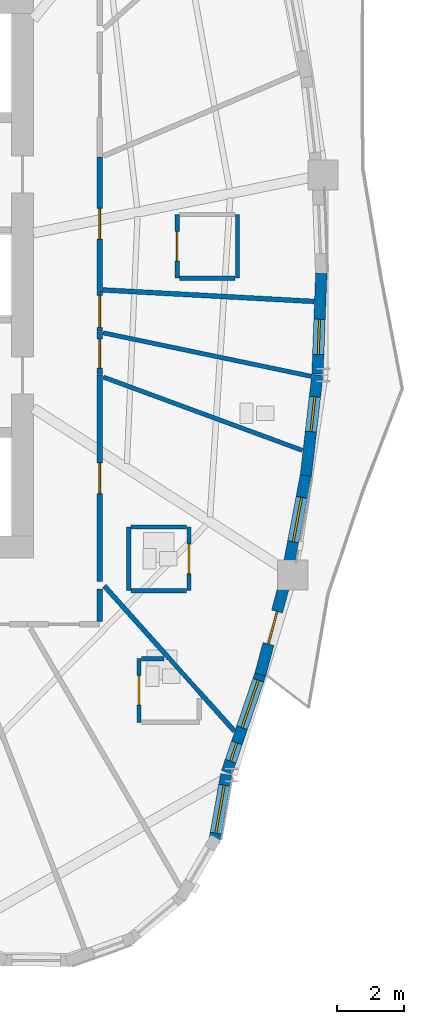
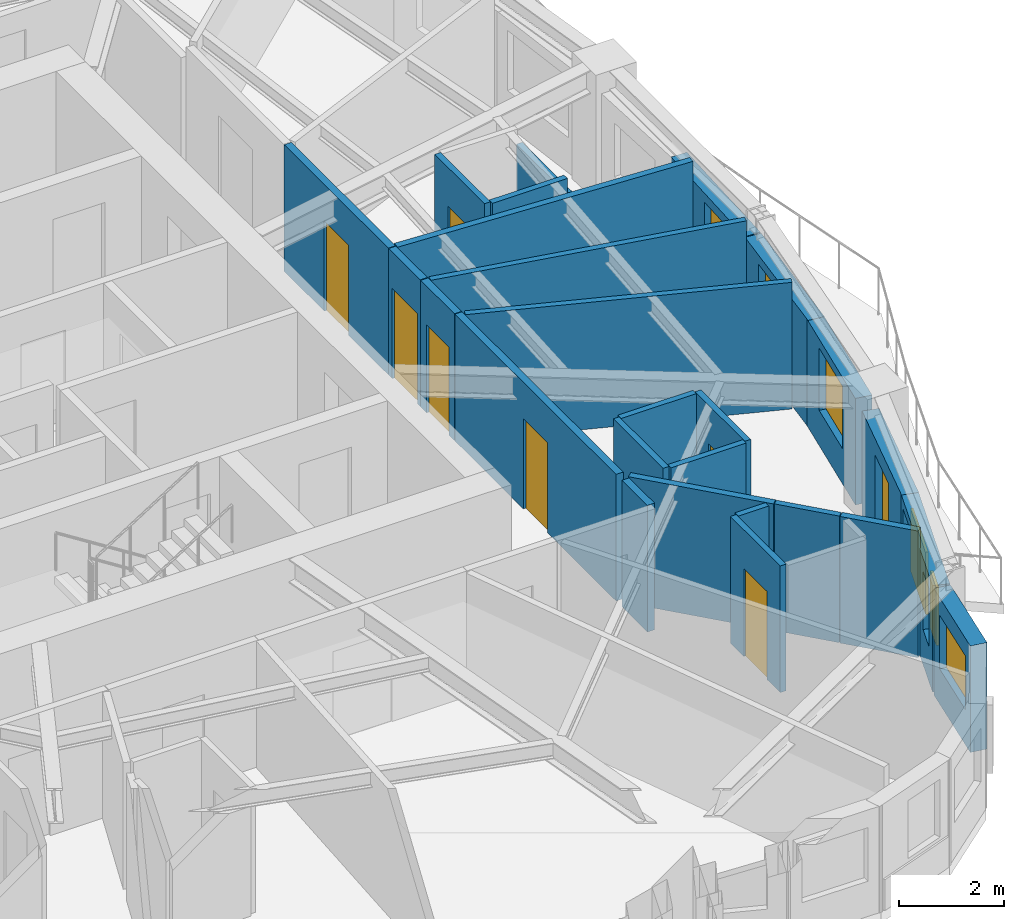
# One storey, part 7 of 13: 26 walls, 8 doors, 6 windows, 14 openings.
"""IFC4 building model written with IfcOpenShell, lengths in metres."""

import ifcopenshell
import ifcopenshell.guid

model = None  # the IFC model being written
_history = None  # IfcOwnerHistory: only IFC2X3 demands one
_inside = {}  # id of a spatial element -> (the spatial element, [elements in it])
_under = {}  # id of a project, library or spatial element -> (it, [spatial elements below it])
_declared = {}  # id of a project -> (the project, [libraries it declares])
_typed = {}  # id of a type object -> (the type object, [elements of that type])
_made_of = {}  # id of a material, layer set ... -> (it, [elements and type objects made of it])


def new_model(schema):
    """Start an empty IFC model of exactly this schema.

    Asked for "IFC4X3", IfcOpenShell would pick the latest addendum, in which some entities
    have other attributes; the version numbers below select the first issue.
    IFC2X3 requires an IfcOwnerHistory on every rooted entity: one is made here for all.
    """
    global model, _history
    if schema == "IFC4X3":
        model = ifcopenshell.file(schema_version=(4, 3, 0, 0))
    else:
        model = ifcopenshell.file(schema=schema)
    _inside.clear()
    _under.clear()
    _declared.clear()
    _typed.clear()
    _made_of.clear()
    _history = None
    if model.schema == "IFC2X3":
        org = make("IfcOrganization", Name="unknown")
        user = make(
            "IfcPersonAndOrganization",
            ThePerson=make("IfcPerson", FamilyName="unknown"),
            TheOrganization=org,
        )
        app = make(
            "IfcApplication",
            ApplicationDeveloper=org,
            Version="unknown",
            ApplicationFullName="unknown",
            ApplicationIdentifier="unknown",
        )
        _history = make(
            "IfcOwnerHistory",
            OwningUser=user,
            OwningApplication=app,
            ChangeAction="ADDED",
            CreationDate=0,
        )
    return model


def make(cls, **values):
    """One entity of the class cls with the attributes given. An attribute that is None is left unset."""
    return model.create_entity(
        cls, **{name: value for name, value in values.items() if value is not None}
    )


def rooted(cls, **values):
    """An entity with a GlobalId (a new one), such as an element, a storey or a relation."""
    return make(cls, GlobalId=ifcopenshell.guid.new(), OwnerHistory=_history, **values)


def si_unit(unit_type, name, prefix=None):
    """IfcSIUnit, for example si_unit("LENGTHUNIT", "METRE", prefix="MILLI")."""
    return make("IfcSIUnit", UnitType=unit_type, Prefix=prefix, Name=name)


def assignment(units):
    """IfcUnitAssignment: the units of a project."""
    return None if units is None else make("IfcUnitAssignment", Units=units)


def point(xyz):
    """IfcCartesianPoint."""
    return None if xyz is None else make("IfcCartesianPoint", Coordinates=xyz)


def direction(xyz):
    """IfcDirection."""
    return None if xyz is None else make("IfcDirection", DirectionRatios=xyz)


def frame(location, z_axis=None, x_axis=None):
    """IfcAxis2Placement3D, a coordinate frame: its origin and axes. An axis left out is left unset."""
    return make(
        "IfcAxis2Placement3D",
        Location=point(location),
        Axis=direction(z_axis),
        RefDirection=direction(x_axis),
    )


def frame_2d(location, x_axis=None):
    """IfcAxis2Placement2D, a coordinate frame in the plane: its origin and x axis."""
    return make(
        "IfcAxis2Placement2D", Location=point(location), RefDirection=direction(x_axis)
    )


def origin():
    """The frame at (0, 0, 0) with its axes left unset."""
    return frame((0.0, 0.0, 0.0))


def place(relative_to, where):
    """IfcLocalPlacement: puts the frame where relative to a parent placement (None: the world)."""
    return make(
        "IfcLocalPlacement", PlacementRelTo=relative_to, RelativePlacement=where
    )


def context(
    kind, dimensions, precision=None, world=None, true_north=None, identifier=None
):
    """IfcGeometricRepresentationContext, for example the 3D "Model" context."""
    return make(
        "IfcGeometricRepresentationContext",
        ContextIdentifier=identifier,
        ContextType=kind,
        CoordinateSpaceDimension=dimensions,
        Precision=precision,
        WorldCoordinateSystem=world,
        TrueNorth=true_north,
    )


def subcontext(parent, identifier, kind, view, scale=None):
    """IfcGeometricRepresentationSubContext, for example "Body" below "Model"."""
    return make(
        "IfcGeometricRepresentationSubContext",
        ContextIdentifier=identifier,
        ContextType=kind,
        ParentContext=parent,
        TargetScale=scale,
        TargetView=view,
    )


def project(units=None, contexts=None):
    """IfcProject with its units and contexts."""
    return rooted(
        "IfcProject",
        Name="project",
        RepresentationContexts=contexts,
        UnitsInContext=assignment(units),
    )


def spatial(cls, under=None, at=None, **own):
    """A site, building, storey or space (cls), placed at a placement, below another one or the project."""
    s = rooted(cls, ObjectPlacement=at, **own)
    if under is not None:
        _under.setdefault(under.id(), (under, []))[1].append(s)
    return s


def profile(cls, at=None, kind="AREA", **sizes):
    """A parametric profile (cls). Its sizes go by their IFC names, for example OverallWidth=200.0."""
    return make(cls, ProfileType=kind, Position=at, **sizes)


def rectangle(**sizes):
    """IfcRectangleProfileDef."""
    return profile("IfcRectangleProfileDef", **sizes)


def extrude(swept, where, along, depth):
    """IfcExtrudedAreaSolid: the profile swept, set in the frame where, extruded along a direction by depth."""
    return make(
        "IfcExtrudedAreaSolid",
        SweptArea=swept,
        Position=where,
        ExtrudedDirection=direction(along),
        Depth=depth,
    )


def shape(context_of_items, identifier, shape_type, items):
    """IfcShapeRepresentation: the items that make up one representation, for example the "Body"."""
    return make(
        "IfcShapeRepresentation",
        ContextOfItems=context_of_items,
        RepresentationIdentifier=identifier,
        RepresentationType=shape_type,
        Items=items,
    )


def source(mapping_origin, context_of_items, identifier, shape_type, items):
    """IfcRepresentationMap: a shape defined once, which mapped items show again and again."""
    return make(
        "IfcRepresentationMap",
        MappingOrigin=mapping_origin,
        MappedRepresentation=shape(context_of_items, identifier, shape_type, items),
    )


def transform(
    local_origin,
    x_axis=None,
    y_axis=None,
    z_axis=None,
    scale=None,
    scale2=None,
    scale3=None,
    uniform=True,
):
    """IfcCartesianTransformationOperator3D, or its non-uniform kind. x_axis, y_axis, z_axis: its Axis1, 2, 3."""
    if uniform:
        return make(
            "IfcCartesianTransformationOperator3D",
            Axis1=direction(x_axis),
            Axis2=direction(y_axis),
            LocalOrigin=point(local_origin),
            Scale=scale,
            Axis3=direction(z_axis),
        )
    return make(
        "IfcCartesianTransformationOperator3DnonUniform",
        Axis1=direction(x_axis),
        Axis2=direction(y_axis),
        LocalOrigin=point(local_origin),
        Scale=scale,
        Axis3=direction(z_axis),
        Scale2=scale2,
        Scale3=scale3,
    )


def mapped(mapping_source, mapping_target):
    """IfcMappedItem: shows the shape of a source again, moved by a transform."""
    return make(
        "IfcMappedItem", MappingSource=mapping_source, MappingTarget=mapping_target
    )


def material(Name=None, Category=None):
    """IfcMaterial."""
    return make("IfcMaterial", Name=Name, Category=Category)


def layer(
    of_material, thickness, ventilated=None, Name=None, Category=None, Priority=None
):
    """IfcMaterialLayer: one layer of a wall or slab, of a material (None: an air gap)."""
    return make(
        "IfcMaterialLayer",
        Material=of_material,
        LayerThickness=thickness,
        IsVentilated=ventilated,
        Name=Name,
        Category=Category,
        Priority=Priority,
    )


def layer_set(layers, Name=None):
    """IfcMaterialLayerSet."""
    return make("IfcMaterialLayerSet", MaterialLayers=layers, LayerSetName=Name)


def made_of(thing, what):
    """Note that an element or type object is made of a material, layer set ...; save() writes the relation."""
    if what is not None:
        _made_of.setdefault(what.id(), (what, []))[1].append(thing)
    return thing


def type_object(cls, material=None, **own):
    """A type object (cls), such as IfcWallType, which elements share."""
    return made_of(rooted(cls, **own), material)


def element(
    cls,
    number,
    at=None,
    inside=None,
    cuts=None,
    type_object=None,
    material=None,
    context=None,
    identifier="Body",
    shape_type=None,
    held_by="IfcProductDefinitionShape",
    body=None,
    shapes=None,
    **own,
):
    """One element of the class cls, such as IfcWall. Its Tag is "e" and its number.

    at: its placement. inside: the storey or other place that contains it. cuts: it is an
    opening in that element (IfcRelVoidsElement). A single representation is given by context,
    identifier, shape_type and body (its items); several are given by shapes. held_by: the class
    of the entity that holds the representations. save() writes the other relations.
    """
    e = rooted(cls, Tag="e%d" % number, ObjectPlacement=at, **own)
    if body is not None:
        shapes = [shape(context, identifier, shape_type, body)]
    if shapes is not None:
        e.Representation = make(held_by, Representations=shapes)
    if inside is not None:
        _inside.setdefault(inside.id(), (inside, []))[1].append(e)
    if cuts is not None:
        rooted(
            "IfcRelVoidsElement", RelatingBuildingElement=cuts, RelatedOpeningElement=e
        )
    if type_object is not None:
        _typed.setdefault(type_object.id(), (type_object, []))[1].append(e)
    return made_of(e, material)


def fill(opening, filler):
    """IfcRelFillsElement: the door or window that sits in an opening."""
    return rooted(
        "IfcRelFillsElement",
        RelatingOpeningElement=opening,
        RelatedBuildingElement=filler,
    )


def aggregate(whole, parts):
    """IfcRelAggregates: a whole, such as a stair, and the parts it consists of."""
    return rooted("IfcRelAggregates", RelatingObject=whole, RelatedObjects=parts)


def save(model, path):
    """Write the relations noted so far, then the file.

    IfcRelAggregates (storeys below a building ...), IfcRelContainedInSpatialStructure (elements
    in a storey), IfcRelDefinesByType, IfcRelAssociatesMaterial and IfcRelDeclares: one each for
    every whole, place, type object, material and project.
    """
    for whole, parts in _under.values():
        aggregate(whole, parts)
    for where, things in _inside.values():
        rooted(
            "IfcRelContainedInSpatialStructure",
            RelatedElements=things,
            RelatingStructure=where,
        )
    for kind, things in _typed.values():
        rooted("IfcRelDefinesByType", RelatedObjects=things, RelatingType=kind)
    for what, things in _made_of.values():
        rooted("IfcRelAssociatesMaterial", RelatedObjects=things, RelatingMaterial=what)
    for by, libraries in _declared.values():
        rooted("IfcRelDeclares", RelatingContext=by, RelatedDefinitions=libraries)
    model.write(path)


model = new_model("IFC4")

# Units and contexts
model_context = context("Model", 3, precision=1e-05, world=origin(), true_north=direction((0.0, 1.0)))
body_context = subcontext(model_context, "Body", "Model", "MODEL_VIEW")
ifc_project = project(units=[si_unit("LENGTHUNIT", "METRE"), si_unit("AREAUNIT", "SQUARE_METRE"), si_unit("VOLUMEUNIT", "CUBIC_METRE"), si_unit("PLANEANGLEUNIT", "RADIAN"), si_unit("MASSUNIT", "GRAM", prefix="KILO")], contexts=[model_context])

# Site, building, storey
site_placement = place(None, origin())
site = spatial("IfcSite", under=ifc_project, at=site_placement, CompositionType="ELEMENT")
building_placement = place(site_placement, origin())
building = spatial("IfcBuilding", under=site, at=building_placement, Name="Qafzar Sky-Pleat Residences", CompositionType="ELEMENT")
storey_placement = place(building_placement, frame((0.0, 0.0, 99.199951171875)))
storey = spatial("IfcBuildingStorey", under=building, at=storey_placement, Name="L29", CompositionType="ELEMENT", Elevation=99.199951171875)

# Wall, opening, door
ifc_material_1 = material(Name="Acoustic gypsum plasterboard partition", Category="gypsum")
ifc_layer_1 = layer(ifc_material_1, 0.159912109375)
ifc_layer_set_1 = layer_set([ifc_layer_1], Name="Acoustic gypsum plasterboard partition")
wall_type_1 = type_object("IfcWallType", Name="PART-COR-160", PredefinedType="PARTITIONING", material=ifc_layer_set_1)
wall_1_placement = place(storey_placement, frame((38.530029296875, 23.0048828125, 0.0), z_axis=(0.0, 0.0, 1.0), x_axis=(0.0, -1.0, 0.0)))
wall_1 = element("IfcWall", 1, at=wall_1_placement, inside=storey, type_object=wall_type_1, Name="L29 Partition Wall PART-L29-PW-001", PredefinedType="PARTITIONING", context=body_context, shape_type="SweptSolid", body=[
    extrude(rectangle(XDim=6.156982421875, YDim=0.159912109375, at=frame_2d((3.07861328125, 0.0))), origin(), (0.0, 0.0, 1.0), 2.949951171875),
])
opening_1_placement = place(wall_1_placement, frame((2.615478515625, 0.0, 0.0)))
opening_1 = element("IfcOpeningElement", 2, at=opening_1_placement, cuts=wall_1, Name="Opening ID-04", PredefinedType="OPENING", context=body_context, shape_type="SweptSolid", body=[
    extrude(rectangle(XDim=0.919921875, YDim=2.10009765625, at=frame_2d((0.4599609375, 1.050048828125))), frame((0.0, 0.08984375, 0.0), z_axis=(0.0, -1.0, 0.0), x_axis=(1.0, 0.0, 0.0)), (0.0, 0.0, 1.0), 0.179931640625),
])
ifc_material_2 = material(Name="Timber-faced fire door", Category="wood")
door_type_1 = type_object("IfcDoorType", Name="DR-BED-920", OperationType="NOTDEFINED", PredefinedType="DOOR", material=ifc_material_2)
shared_shape_1 = source(origin(), body_context, "Body", "SweptSolid", [
    extrude(rectangle(XDim=0.919921875, YDim=2.10009765625, at=frame_2d((0.4599609375, 1.050048828125))), frame((0.0, 0.02490234375, 0.0), z_axis=(0.0, -1.0, 0.0), x_axis=(1.0, 0.0, 0.0)), (0.0, 0.0, 1.0), 0.050048828125),
])
door_1_placement = place(opening_1_placement, origin())
door_1 = element("IfcDoor", 3, at=door_1_placement, inside=storey, type_object=door_type_1, Name="L29 Co-Living Bedroom 4 Door", OperationType="SINGLE_SWING_RIGHT", OverallHeight=2.10009765625, OverallWidth=0.919921875, PredefinedType="DOOR", context=body_context, shape_type="MappedRepresentation", body=[
    mapped(shared_shape_1, transform((0.0, 0.0, 0.0), x_axis=(1.0, 0.0, 0.0), y_axis=(0.0, 1.0, 0.0), z_axis=(0.0, 0.0, 1.0), scale=1.0)),
])
fill(opening_1, door_1)

wall_2_placement = place(storey_placement, frame((38.530029296875, 29.513916015625, 0.0), z_axis=(0.0, 0.0, 1.0), x_axis=(0.0, -1.0, 0.0)))
wall_2 = element("IfcWall", 4, at=wall_2_placement, inside=storey, type_object=wall_type_1, Name="L29 Partition Wall PART-L29-PW-005", PredefinedType="PARTITIONING", context=body_context, shape_type="SweptSolid", body=[
    extrude(rectangle(XDim=3.973876953125, YDim=0.159912109375, at=frame_2d((1.98681640625, 0.0))), origin(), (0.0, 0.0, 1.0), 2.949951171875),
])
opening_2_placement = place(wall_2_placement, frame((1.528076171875, 0.0, 0.0)))
opening_2 = element("IfcOpeningElement", 5, at=opening_2_placement, cuts=wall_2, Name="Opening ID-04", PredefinedType="OPENING", context=body_context, shape_type="SweptSolid", body=[
    extrude(rectangle(XDim=0.919921875, YDim=2.10009765625, at=frame_2d((0.4599609375, 1.050048828125))), frame((0.0, 0.08984375, 0.0), z_axis=(0.0, -1.0, 0.0), x_axis=(1.0, 0.0, 0.0)), (0.0, 0.0, 1.0), 0.179931640625),
])
door_2_placement = place(opening_2_placement, origin())
door_2 = element("IfcDoor", 6, at=door_2_placement, inside=storey, type_object=door_type_1, Name="L29 Co-Living Bedroom 5 Door", OperationType="SINGLE_SWING_LEFT", OverallHeight=2.10009765625, OverallWidth=0.919921875, PredefinedType="DOOR", context=body_context, shape_type="MappedRepresentation", body=[
    mapped(shared_shape_1, transform((0.0, 0.0, 0.0), x_axis=(1.0, 0.0, 0.0), y_axis=(0.0, 1.0, 0.0), z_axis=(0.0, 0.0, 1.0), scale=1.0)),
])
fill(opening_2, door_2)

wall_3_placement = place(storey_placement, frame((38.530029296875, 24.305908203125, 0.0), z_axis=(0.0, 0.0, 1.0), x_axis=(0.0, -1.0, 0.0)))
wall_3 = element("IfcWall", 7, at=wall_3_placement, inside=storey, type_object=wall_type_1, Name="L29 Partition Wall PART-L29-PW-029", PredefinedType="PARTITIONING", context=body_context, shape_type="SweptSolid", body=[
    extrude(rectangle(XDim=1.285888671875, YDim=0.159912109375, at=frame_2d((0.64306640625, 0.0))), origin(), (0.0, 0.0, 1.0), 2.949951171875),
])
opening_3_placement = place(wall_3_placement, frame((0.22607421875, 0.0, 0.0)))
opening_3 = element("IfcOpeningElement", 8, at=opening_3_placement, cuts=wall_3, Name="Opening ID-09", PredefinedType="OPENING", context=body_context, shape_type="SweptSolid", body=[
    extrude(rectangle(XDim=0.860107421875, YDim=2.050048828125, at=frame_2d((0.43017578125, 1.02490234375))), frame((0.0, 0.08984375, 0.0), z_axis=(0.0, -1.0, 0.0), x_axis=(1.0, 0.0, 0.0)), (0.0, 0.0, 1.0), 0.179931640625),
])
door_type_2 = type_object("IfcDoorType", Name="DR-SVC-860", OperationType="NOTDEFINED", PredefinedType="DOOR", material=ifc_material_2)
shared_shape_2 = source(origin(), body_context, "Body", "SweptSolid", [
    extrude(rectangle(XDim=0.860107421875, YDim=2.050048828125, at=frame_2d((0.43017578125, 1.02490234375))), frame((0.0, 0.02490234375, 0.0), z_axis=(0.0, -1.0, 0.0), x_axis=(1.0, 0.0, 0.0)), (0.0, 0.0, 1.0), 0.050048828125),
])
door_3_placement = place(opening_3_placement, origin())
door_3 = element("IfcDoor", 9, at=door_3_placement, inside=storey, type_object=door_type_2, Name="L29 Accessible Shared Washroom Door", OperationType="SINGLE_SWING_RIGHT", OverallHeight=2.050048828125, OverallWidth=0.860107421875, PredefinedType="DOOR", context=body_context, shape_type="MappedRepresentation", body=[
    mapped(shared_shape_2, transform((0.0, 0.0, 0.0), x_axis=(1.0, 0.0, 0.0), y_axis=(0.0, 1.0, 0.0), z_axis=(0.0, 0.0, 1.0), scale=1.0)),
])
fill(opening_3, door_3)

wall_4_placement = place(storey_placement, frame((38.530029296875, 25.52490234375, 0.0), z_axis=(0.0, 0.0, 1.0), x_axis=(0.0, -1.0, 0.0)))
wall_4 = element("IfcWall", 10, at=wall_4_placement, inside=storey, type_object=wall_type_1, Name="L29 Partition Wall PART-L29-PW-030", PredefinedType="PARTITIONING", context=body_context, shape_type="SweptSolid", body=[
    extrude(rectangle(XDim=1.203857421875, YDim=0.159912109375, at=frame_2d((0.60205078125, 0.0))), origin(), (0.0, 0.0, 1.0), 2.949951171875),
])
opening_4_placement = place(wall_4_placement, frame((0.13427734375, 0.0, 0.0)))
opening_4 = element("IfcOpeningElement", 11, at=opening_4_placement, cuts=wall_4, Name="Opening ID-06", PredefinedType="OPENING", context=body_context, shape_type="SweptSolid", body=[
    extrude(rectangle(XDim=0.9599609375, YDim=2.10009765625, at=frame_2d((0.47998046875, 1.050048828125))), frame((0.0, 0.08984375, 0.0), z_axis=(0.0, -1.0, 0.0), x_axis=(1.0, 0.0, 0.0)), (0.0, 0.0, 1.0), 0.179931640625),
])
door_type_3 = type_object("IfcDoorType", Name="DR-STD-960", OperationType="NOTDEFINED", PredefinedType="DOOR", material=ifc_material_2)
shared_shape_3 = source(origin(), body_context, "Body", "SweptSolid", [
    extrude(rectangle(XDim=0.9599609375, YDim=2.10009765625, at=frame_2d((0.47998046875, 1.050048828125))), frame((0.0, 0.02490234375, 0.0), z_axis=(0.0, -1.0, 0.0), x_axis=(1.0, 0.0, 0.0)), (0.0, 0.0, 1.0), 0.050048828125),
])
door_4_placement = place(opening_4_placement, origin())
door_4 = element("IfcDoor", 12, at=door_4_placement, inside=storey, type_object=door_type_3, Name="L29 Scholar Study Room Door", OperationType="SINGLE_SWING_LEFT", OverallHeight=2.10009765625, OverallWidth=0.9599609375, PredefinedType="DOOR", context=body_context, shape_type="MappedRepresentation", body=[
    mapped(shared_shape_3, transform((0.0, 0.0, 0.0), x_axis=(1.0, 0.0, 0.0), y_axis=(0.0, 1.0, 0.0), z_axis=(0.0, 0.0, 1.0), scale=1.0)),
])
fill(opening_4, door_4)

# Walls
wall_5_placement = place(storey_placement, frame((38.530029296875, 15.657958984375, 0.0), z_axis=(0.0, 0.0, 1.0), x_axis=(0.0, 1.0, 0.0)))
element("IfcWall", 13, at=wall_5_placement, inside=storey, type_object=wall_type_1, Name="L29 Partition Wall PART-L29-PW-077", PredefinedType="PARTITIONING", context=body_context, shape_type="SweptSolid", body=[
    extrude(rectangle(XDim=0.968994140625, YDim=0.159912109375, at=frame_2d((0.484375, 0.0))), origin(), (0.0, 0.0, 1.0), 2.949951171875),
])
ifc_layer_2 = layer(ifc_material_1, 0.14501953125)
ifc_layer_set_2 = layer_set([ifc_layer_2], Name="Acoustic gypsum plasterboard partition")
wall_type_2 = type_object("IfcWallType", Name="PART-UNIT-145", PredefinedType="PARTITIONING", material=ifc_layer_set_2)
wall_6_placement = place(storey_placement, frame((38.621826171875, 25.550048828125, 0.0), z_axis=(0.0, 0.0, 1.0), x_axis=(0.998518036703, -0.054421782211, 0.0)))
element("IfcWall", 14, at=wall_6_placement, inside=storey, type_object=wall_type_2, Name="L29 Partition Wall PART-L29-PW-045", PredefinedType="PARTITIONING", context=body_context, shape_type="SweptSolid", body=[
    extrude(rectangle(XDim=6.32080078125, YDim=0.14501953125, at=frame_2d((3.160400390625, 0.0))), origin(), (0.0, 0.0, 1.0), 2.949951171875),
])
wall_7_placement = place(storey_placement, frame((38.669189453125, 16.714599609375, 0.0), z_axis=(0.0, 0.0, 1.0), x_axis=(0.667262858083, -0.744822313188, 0.0)))
element("IfcWall", 15, at=wall_7_placement, inside=storey, type_object=wall_type_2, Name="L29 Partition Wall PART-L29-PW-052", PredefinedType="PARTITIONING", context=body_context, shape_type="SweptSolid", body=[
    extrude(rectangle(XDim=2.91162109375, YDim=0.14501953125, at=frame_2d((1.455810546875, 0.0))), origin(), (0.0, 0.0, 1.0), 2.949951171875),
])
wall_8_placement = place(storey_placement, frame((41.50390625, 13.551025390625, 0.0), z_axis=(0.0, 0.0, 1.0), x_axis=(0.667530166935, -0.744582753112, 0.0)))
element("IfcWall", 16, at=wall_8_placement, inside=storey, type_object=wall_type_2, Name="L29 Partition Wall PART-L29-PW-072", PredefinedType="PARTITIONING", context=body_context, shape_type="SweptSolid", body=[
    extrude(rectangle(XDim=1.571533203125, YDim=0.14501953125, at=frame_2d((0.78564453125, 0.0))), origin(), (0.0, 0.0, 1.0), 2.949951171875),
])

# Wall, opening, door
ifc_material_3 = material(Name="Moisture-resistant gypsum partition", Category="gypsum")
ifc_layer_3 = layer(ifc_material_3, 0.1298828125)
ifc_layer_set_3 = layer_set([ifc_layer_3], Name="Moisture-resistant gypsum partition")
wall_type_3 = type_object("IfcWallType", Name="PART-WET-130", PredefinedType="PARTITIONING", material=ifc_layer_set_3)
wall_9_placement = place(storey_placement, frame((39.7041015625, 14.5458984375, 0.0), z_axis=(0.0, 0.0, 1.0), x_axis=(0.0, -1.0, 0.0)))
wall_9 = element("IfcWall", 17, at=wall_9_placement, inside=storey, type_object=wall_type_3, Name="L29 Partition Wall PART-L29-PW-019", PredefinedType="PARTITIONING", context=body_context, shape_type="SweptSolid", body=[
    extrude(rectangle(XDim=1.89990234375, YDim=0.1298828125, at=frame_2d((0.949951171875, 0.0))), origin(), (0.0, 0.0, 1.0), 2.949951171875),
])
opening_5_placement = place(wall_9_placement, frame((0.510009765625, 0.0, 0.0)))
opening_5 = element("IfcOpeningElement", 18, at=opening_5_placement, cuts=wall_9, Name="Opening ID-07", PredefinedType="OPENING", context=body_context, shape_type="SweptSolid", body=[
    extrude(rectangle(XDim=0.8798828125, YDim=2.050048828125, at=frame_2d((0.43994140625, 1.02490234375))), frame((0.0, 0.074951171875, 0.0), z_axis=(0.0, -1.0, 0.0), x_axis=(1.0, 0.0, 0.0)), (0.0, 0.0, 1.0), 0.14990234375),
])
door_type_4 = type_object("IfcDoorType", Name="DR-WET-880", OperationType="NOTDEFINED", PredefinedType="DOOR", material=ifc_material_2)
shared_shape_4 = source(origin(), body_context, "Body", "SweptSolid", [
    extrude(rectangle(XDim=0.8798828125, YDim=2.050048828125, at=frame_2d((0.43994140625, 1.02490234375))), frame((0.0, 0.02490234375, 0.0), z_axis=(0.0, -1.0, 0.0), x_axis=(1.0, 0.0, 0.0)), (0.0, 0.0, 1.0), 0.050048828125),
])
door_5_placement = place(opening_5_placement, origin())
door_5 = element("IfcDoor", 19, at=door_5_placement, inside=storey, type_object=door_type_4, Name="L29 En-suite Bathroom 3 Door", OperationType="SINGLE_SWING_RIGHT", OverallHeight=2.050048828125, OverallWidth=0.8798828125, PredefinedType="DOOR", context=body_context, shape_type="MappedRepresentation", body=[
    mapped(shared_shape_4, transform((0.0, 0.0, 0.0), x_axis=(1.0, 0.0, 0.0), y_axis=(0.0, 1.0, 0.0), z_axis=(0.0, 0.0, 1.0), scale=1.0)),
])
fill(opening_5, door_5)

wall_10_placement = place(storey_placement, frame((41.195068359375, 16.575927734375, 0.0), z_axis=(0.0, 0.0, 1.0), x_axis=(0.0, 1.0, 0.0)))
wall_10 = element("IfcWall", 20, at=wall_10_placement, inside=storey, type_object=wall_type_3, Name="L29 Partition Wall PART-L29-PW-020", PredefinedType="PARTITIONING", context=body_context, shape_type="SweptSolid", body=[
    extrude(rectangle(XDim=1.900146484375, YDim=0.1298828125, at=frame_2d((0.9501953125, 0.0))), origin(), (0.0, 0.0, 1.0), 2.949951171875),
])
opening_6_placement = place(wall_10_placement, frame((0.510009765625, 0.0, 0.0)))
opening_6 = element("IfcOpeningElement", 21, at=opening_6_placement, cuts=wall_10, Name="Opening ID-07", PredefinedType="OPENING", context=body_context, shape_type="SweptSolid", body=[
    extrude(rectangle(XDim=0.8798828125, YDim=2.050048828125, at=frame_2d((0.43994140625, 1.02490234375))), frame((0.0, 0.074951171875, 0.0), z_axis=(0.0, -1.0, 0.0), x_axis=(1.0, 0.0, 0.0)), (0.0, 0.0, 1.0), 0.14990234375),
])
door_6_placement = place(opening_6_placement, origin())
door_6 = element("IfcDoor", 22, at=door_6_placement, inside=storey, type_object=door_type_4, Name="L29 En-suite Bathroom 4 Door", OperationType="SINGLE_SWING_LEFT", OverallHeight=2.050048828125, OverallWidth=0.8798828125, PredefinedType="DOOR", context=body_context, shape_type="MappedRepresentation", body=[
    mapped(shared_shape_4, transform((0.0, 0.0, 0.0), x_axis=(1.0, 0.0, 0.0), y_axis=(0.0, 1.0, 0.0), z_axis=(0.0, 0.0, 1.0), scale=1.0)),
])
fill(opening_6, door_6)

wall_11_placement = place(storey_placement, frame((40.842041015625, 27.802001953125, 0.0), z_axis=(0.0, 0.0, 1.0), x_axis=(0.0, -1.0, 0.0)))
wall_11 = element("IfcWall", 23, at=wall_11_placement, inside=storey, type_object=wall_type_3, Name="L29 Partition Wall PART-L29-PW-021", PredefinedType="PARTITIONING", context=body_context, shape_type="SweptSolid", body=[
    extrude(rectangle(XDim=1.89990234375, YDim=0.1298828125, at=frame_2d((0.949951171875, 0.0))), origin(), (0.0, 0.0, 1.0), 2.949951171875),
])
opening_7_placement = place(wall_11_placement, frame((0.510009765625, 0.0, 0.0)))
opening_7 = element("IfcOpeningElement", 24, at=opening_7_placement, cuts=wall_11, Name="Opening ID-07", PredefinedType="OPENING", context=body_context, shape_type="SweptSolid", body=[
    extrude(rectangle(XDim=0.8798828125, YDim=2.050048828125, at=frame_2d((0.43994140625, 1.02490234375))), frame((0.0, 0.074951171875, 0.0), z_axis=(0.0, -1.0, 0.0), x_axis=(1.0, 0.0, 0.0)), (0.0, 0.0, 1.0), 0.14990234375),
])
door_7_placement = place(opening_7_placement, origin())
door_7 = element("IfcDoor", 25, at=door_7_placement, inside=storey, type_object=door_type_4, Name="L29 En-suite Bathroom 5 Door", OperationType="SINGLE_SWING_RIGHT", OverallHeight=2.050048828125, OverallWidth=0.8798828125, PredefinedType="DOOR", context=body_context, shape_type="MappedRepresentation", body=[
    mapped(shared_shape_4, transform((0.0, 0.0, 0.0), x_axis=(1.0, 0.0, 0.0), y_axis=(0.0, 1.0, 0.0), z_axis=(0.0, 0.0, 1.0), scale=1.0)),
])
fill(opening_7, door_7)

# Walls
wall_12_placement = place(storey_placement, frame((38.639892578125, 22.948486328125, 0.0), z_axis=(0.0, 0.0, 1.0), x_axis=(0.938426101424, -0.3454800315, 0.0)))
element("IfcWall", 26, at=wall_12_placement, inside=storey, type_object=wall_type_3, Name="L29 Partition Wall PART-L29-PW-043", PredefinedType="PARTITIONING", context=body_context, shape_type="SweptSolid", body=[
    extrude(rectangle(XDim=6.326904296875, YDim=0.1298828125, at=frame_2d((3.16357421875, 0.0))), origin(), (0.0, 0.0, 1.0), 2.949951171875),
])
wall_13_placement = place(storey_placement, frame((38.631103515625, 24.27001953125, 0.0), z_axis=(0.0, 0.0, 1.0), x_axis=(0.978856283814, -0.204549201019, 0.0)))
element("IfcWall", 27, at=wall_13_placement, inside=storey, type_object=wall_type_3, Name="L29 Partition Wall PART-L29-PW-044", PredefinedType="PARTITIONING", context=body_context, shape_type="SweptSolid", body=[
    extrude(rectangle(XDim=6.34130859375, YDim=0.1298828125, at=frame_2d((3.170654296875, 0.0))), origin(), (0.0, 0.0, 1.0), 2.949951171875),
])
wall_14_placement = place(storey_placement, frame((39.39501953125, 16.575927734375, 0.0), z_axis=(0.0, 0.0, 1.0), x_axis=(0.0, 1.0, 0.0)))
element("IfcWall", 28, at=wall_14_placement, inside=storey, type_object=wall_type_3, Name="L29 Partition Wall PART-L29-PW-057", PredefinedType="PARTITIONING", context=body_context, shape_type="SweptSolid", body=[
    extrude(rectangle(XDim=1.900146484375, YDim=0.1298828125, at=frame_2d((0.9501953125, 0.0))), origin(), (0.0, 0.0, 1.0), 2.949951171875),
])
wall_15_placement = place(storey_placement, frame((42.64208984375, 25.902099609375, 0.0), z_axis=(0.0, 0.0, 1.0), x_axis=(0.0, 1.0, 0.0)))
element("IfcWall", 29, at=wall_15_placement, inside=storey, type_object=wall_type_3, Name="L29 Partition Wall PART-L29-PW-058", PredefinedType="PARTITIONING", context=body_context, shape_type="SweptSolid", body=[
    extrude(rectangle(XDim=1.89990234375, YDim=0.1298828125, at=frame_2d((0.949951171875, 0.0))), origin(), (0.0, 0.0, 1.0), 2.55810546875),
])
for number, where, z_axis, x_axis, name in (
    (30, (40.9150390625, 25.902099609375, 0.0), (0.0, 0.0, 1.0), (1.0, 0.0, 0.0), "L29 Partition Wall PART-L29-PW-062"),
    (31, (39.468017578125, 18.47607421875, 0.0), (0.0, 0.0, 1.0), (1.0, 0.0, 0.0), "L29 Partition Wall PART-L29-PW-069"),
    (32, (39.468017578125, 16.575927734375, 0.0), (0.0, 0.0, 1.0), (1.0, 0.0, 0.0), "L29 Partition Wall PART-L29-PW-070"),
):
    element("IfcWall", number, at=place(storey_placement, frame(where, z_axis=z_axis, x_axis=x_axis)), inside=storey, type_object=wall_type_3, Name=name, PredefinedType="PARTITIONING", context=body_context, shape_type="SweptSolid", body=[
        extrude(rectangle(XDim=1.654052734375, YDim=0.1298828125, at=frame_2d((0.8271484375, 0.0))), origin(), (0.0, 0.0, 1.0), 2.949951171875),
    ])
wall_16_placement = place(storey_placement, frame((40.6220703125, 14.534912109375, 0.0), z_axis=(0.0, 0.0, 1.0), x_axis=(0.667455683483, -0.744649521981, 0.0)))
element("IfcWall", 33, at=wall_16_placement, inside=storey, type_object=wall_type_3, Name="L29 Partition Wall PART-L29-PW-076", PredefinedType="PARTITIONING", context=body_context, shape_type="SweptSolid", body=[
    extrude(rectangle(XDim=1.30615234375, YDim=0.1298828125, at=frame_2d((0.653076171875, 0.0))), origin(), (0.0, 0.0, 1.0), 2.949951171875),
])
wall_17_placement = place(storey_placement, frame((39.777099609375, 14.5458984375, 0.0), z_axis=(0.0, 0.0, 1.0), x_axis=(1.0, 0.0, 0.0)))
element("IfcWall", 34, at=wall_17_placement, inside=storey, type_object=wall_type_3, Name="L29 Partition Wall PART-L29-PW-083", PredefinedType="PARTITIONING", context=body_context, shape_type="SweptSolid", body=[
    extrude(rectangle(XDim=0.67138671875, YDim=0.1298828125, at=frame_2d((0.335693359375, 0.0))), origin(), (0.0, 0.0, 1.0), 2.949951171875),
])

# Wall, opening, window
ifc_material_4 = material(Name="Precast concrete C40/50 with honed Riyadh limestone", Category="concrete")
ifc_layer_4 = layer(ifc_material_4, 0.340087890625)
ifc_layer_set_4 = layer_set([ifc_layer_4], Name="Precast concrete C40/50 with honed Riyadh limestone")
wall_type_4 = type_object("IfcWallType", Name="WALL-EXT-340", PredefinedType="SOLIDWALL", material=ifc_layer_set_4)
wall_18_placement = place(storey_placement, frame((41.95068359375, 9.076904296875, 0.0), z_axis=(0.0, 0.0, 1.0), x_axis=(0.174399433509, 0.984674990843, 0.0)))
wall_18 = element("IfcWall", 35, at=wall_18_placement, inside=storey, type_object=wall_type_4, Name="L29 Limestone Facade Wall 22", PredefinedType="SOLIDWALL", context=body_context, shape_type="SweptSolid", body=[
    extrude(rectangle(XDim=2.041015625, YDim=0.340087890625, at=frame_2d((1.0205078125, 0.0))), origin(), (0.0, 0.0, 1.0), 2.47998046875),
])
opening_8_placement = place(wall_18_placement, frame((0.265380859375, 0.0, 0.820068359375)))
opening_8 = element("IfcOpeningElement", 36, at=opening_8_placement, cuts=wall_18, Name="Opening WN-15", PredefinedType="OPENING", context=body_context, shape_type="SweptSolid", body=[
    extrude(rectangle(XDim=1.449951171875, YDim=1.25, at=frame_2d((0.72509765625, 0.625))), frame((0.0, 0.18017578125, 0.0), z_axis=(0.0, -1.0, 0.0), x_axis=(1.0, 0.0, 0.0)), (0.0, 0.0, 1.0), 0.360107421875),
])
ifc_material_5 = material(Name="Solar-control low-E glass in bronze aluminium frame", Category="glass")
window_type_1 = type_object("IfcWindowType", Name="WIN-15", PartitioningType="SINGLE_PANEL", PredefinedType="WINDOW", material=ifc_material_5)
shared_shape_5 = source(origin(), body_context, "Body", "SweptSolid", [
    extrude(rectangle(XDim=1.449951171875, YDim=1.25, at=frame_2d((0.72509765625, 0.625))), frame((0.0, 0.030029296875, 0.0), z_axis=(0.0, -1.0, 0.0), x_axis=(1.0, 0.0, 0.0)), (0.0, 0.0, 1.0), 0.06005859375),
])
window_1_placement = place(opening_8_placement, origin())
window_1 = element("IfcWindow", 37, at=window_1_placement, inside=storey, type_object=window_type_1, Name="L29 Punched Facade Window 22", OverallHeight=1.25, OverallWidth=1.449951171875, PartitioningType="SINGLE_PANEL", PredefinedType="WINDOW", context=body_context, shape_type="MappedRepresentation", body=[
    mapped(shared_shape_5, transform((0.0, 0.0, 0.0), x_axis=(1.0, 0.0, 0.0), y_axis=(0.0, 1.0, 0.0), z_axis=(0.0, 0.0, 1.0), scale=1.0)),
])
fill(opening_8, window_1)

# Wall, openings, windows
wall_19_placement = place(storey_placement, frame((42.322998046875, 11.150634765625, 0.0), z_axis=(0.0, 0.0, 1.0), x_axis=(0.323606092462, 0.94619189223, 0.0)))
wall_19 = element("IfcWall", 38, at=wall_19_placement, inside=storey, type_object=wall_type_4, Name="L29 Limestone Facade Wall 23", PredefinedType="SOLIDWALL", context=body_context, shape_type="SweptSolid", body=[
    extrude(rectangle(XDim=3.17236328125, YDim=0.340087890625, at=frame_2d((1.586181640625, 0.0))), origin(), (0.0, 0.0, 1.0), 2.47998046875),
])
opening_9_placement = place(wall_19_placement, frame((0.35302734375, 0.0, 0.820068359375)))
opening_9 = element("IfcOpeningElement", 39, at=opening_9_placement, cuts=wall_19, Name="Opening WN-17", PredefinedType="OPENING", context=body_context, shape_type="SweptSolid", body=[
    extrude(rectangle(XDim=0.580078125, YDim=1.35009765625, at=frame_2d((0.2900390625, 0.675048828125))), frame((0.0, 0.18017578125, 0.0), z_axis=(0.0, -1.0, 0.0), x_axis=(1.0, 0.0, 0.0)), (0.0, 0.0, 1.0), 0.360107421875),
])
opening_10_placement = place(wall_19_placement, frame((1.40966796875, 0.0, 0.820068359375)))
opening_10 = element("IfcOpeningElement", 40, at=opening_10_placement, cuts=wall_19, Name="Opening WN-03", PredefinedType="OPENING", context=body_context, shape_type="SweptSolid", body=[
    extrude(rectangle(XDim=1.5, YDim=1.449951171875, at=frame_2d((0.75, 0.72509765625))), frame((0.0, 0.18017578125, 0.0), z_axis=(0.0, -1.0, 0.0), x_axis=(1.0, 0.0, 0.0)), (0.0, 0.0, 1.0), 0.360107421875),
])
window_type_2 = type_object("IfcWindowType", Name="WIN-17", PartitioningType="SINGLE_PANEL", PredefinedType="WINDOW", material=ifc_material_5)
shared_shape_6 = source(origin(), body_context, "Body", "SweptSolid", [
    extrude(rectangle(XDim=0.580078125, YDim=1.35009765625, at=frame_2d((0.2900390625, 0.675048828125))), frame((0.0, 0.030029296875, 0.0), z_axis=(0.0, -1.0, 0.0), x_axis=(1.0, 0.0, 0.0)), (0.0, 0.0, 1.0), 0.06005859375),
])
window_2_placement = place(opening_9_placement, origin())
window_2 = element("IfcWindow", 41, at=window_2_placement, inside=storey, type_object=window_type_2, Name="L29 Punched Facade Window 23", OverallHeight=1.35009765625, OverallWidth=0.580078125, PartitioningType="SINGLE_PANEL", PredefinedType="WINDOW", context=body_context, shape_type="MappedRepresentation", body=[
    mapped(shared_shape_6, transform((0.0, 0.0, 0.0), x_axis=(1.0, 0.0, 0.0), y_axis=(0.0, 1.0, 0.0), z_axis=(0.0, 0.0, 1.0), scale=1.0)),
])
fill(opening_9, window_2)
window_type_3 = type_object("IfcWindowType", Name="WIN-03", PartitioningType="DOUBLE_PANEL_VERTICAL", PredefinedType="WINDOW", material=ifc_material_5)
shared_shape_7 = source(origin(), body_context, "Body", "SweptSolid", [
    extrude(rectangle(XDim=1.5, YDim=1.449951171875, at=frame_2d((0.75, 0.72509765625))), frame((0.0, 0.030029296875, 0.0), z_axis=(0.0, -1.0, 0.0), x_axis=(1.0, 0.0, 0.0)), (0.0, 0.0, 1.0), 0.06005859375),
])
window_3_placement = place(opening_10_placement, origin())
window_3 = element("IfcWindow", 42, at=window_3_placement, inside=storey, type_object=window_type_3, Name="L29 Punched Facade Window 23-2", OverallHeight=1.449951171875, OverallWidth=1.5, PartitioningType="SINGLE_PANEL", PredefinedType="WINDOW", context=body_context, shape_type="MappedRepresentation", body=[
    mapped(shared_shape_7, transform((0.0, 0.0, 0.0), x_axis=(1.0, 0.0, 0.0), y_axis=(0.0, 1.0, 0.0), z_axis=(0.0, 0.0, 1.0), scale=1.0)),
])
fill(opening_10, window_3)

# Wall, opening, door
wall_20_placement = place(storey_placement, frame((43.32421875, 14.068359375, 0.0), z_axis=(0.0, 0.0, 1.0), x_axis=(0.257085513118, 0.966388658328, 0.0)))
wall_20 = element("IfcWall", 43, at=wall_20_placement, inside=storey, type_object=wall_type_4, Name="L29 Limestone Facade Wall 24", PredefinedType="SOLIDWALL", context=body_context, shape_type="SweptSolid", body=[
    extrude(rectangle(XDim=2.896484375, YDim=0.340087890625, at=frame_2d((1.4482421875, 0.0))), origin(), (0.0, 0.0, 1.0), 2.47998046875),
])
opening_11_placement = place(wall_20_placement, frame((0.9482421875, 0.0, 0.0)))
opening_11 = element("IfcOpeningElement", 44, at=opening_11_placement, cuts=wall_20, Name="Opening ED-05", PredefinedType="OPENING", context=body_context, shape_type="SweptSolid", body=[
    extrude(rectangle(XDim=1.0, YDim=2.10009765625, at=frame_2d((0.5, 1.050048828125))), frame((0.0, 0.18017578125, 0.0), z_axis=(0.0, -1.0, 0.0), x_axis=(1.0, 0.0, 0.0)), (0.0, 0.0, 1.0), 0.360107421875),
])
ifc_material_6 = material(Name="Glazed bronze aluminium door", Category="aluminium")
door_type_5 = type_object("IfcDoorType", Name="DR-BAL-1000", OperationType="NOTDEFINED", PredefinedType="DOOR", material=ifc_material_6)
shared_shape_8 = source(origin(), body_context, "Body", "SweptSolid", [
    extrude(rectangle(XDim=1.0, YDim=2.10009765625, at=frame_2d((0.5, 1.050048828125))), frame((0.0, 0.02490234375, 0.0), z_axis=(0.0, -1.0, 0.0), x_axis=(1.0, 0.0, 0.0)), (0.0, 0.0, 1.0), 0.050048828125),
])
door_8_placement = place(opening_11_placement, origin())
door_8 = element("IfcDoor", 45, at=door_8_placement, inside=storey, type_object=door_type_5, Name="L29 Glazed Balcony Door 1", OperationType="SINGLE_SWING_LEFT", OverallHeight=2.10009765625, OverallWidth=1.0, PredefinedType="DOOR", context=body_context, shape_type="MappedRepresentation", body=[
    mapped(shared_shape_8, transform((0.0, 0.0, 0.0), x_axis=(1.0, 0.0, 0.0), y_axis=(0.0, 1.0, 0.0), z_axis=(0.0, 0.0, 1.0), scale=1.0)),
])
fill(opening_11, door_8)

# Wall, opening, window
wall_21_placement = place(storey_placement, frame((44.168212890625, 17.3037109375, 0.0), z_axis=(0.0, 0.0, 1.0), x_axis=(0.186654850509, 0.982425552793, 0.0)))
wall_21 = element("IfcWall", 46, at=wall_21_placement, inside=storey, type_object=wall_type_4, Name="L29 Limestone Facade Wall 25", PredefinedType="SOLIDWALL", context=body_context, shape_type="SweptSolid", body=[
    extrude(rectangle(XDim=2.84619140625, YDim=0.340087890625, at=frame_2d((1.423095703125, 0.0))), origin(), (0.0, 0.0, 1.0), 2.47998046875),
])
opening_12_placement = place(wall_21_placement, frame((0.742919921875, 0.0, 0.820068359375)))
opening_12 = element("IfcOpeningElement", 47, at=opening_12_placement, cuts=wall_21, Name="Opening WN-04", PredefinedType="OPENING", context=body_context, shape_type="SweptSolid", body=[
    extrude(rectangle(XDim=1.35009765625, YDim=1.449951171875, at=frame_2d((0.675048828125, 0.72509765625))), frame((0.0, 0.18017578125, 0.0), z_axis=(0.0, -1.0, 0.0), x_axis=(1.0, 0.0, 0.0)), (0.0, 0.0, 1.0), 0.360107421875),
])
window_type_4 = type_object("IfcWindowType", Name="WIN-04", PartitioningType="SINGLE_PANEL", PredefinedType="WINDOW", material=ifc_material_5)
shared_shape_9 = source(origin(), body_context, "Body", "SweptSolid", [
    extrude(rectangle(XDim=1.35009765625, YDim=1.449951171875, at=frame_2d((0.675048828125, 0.72509765625))), frame((0.0, 0.030029296875, 0.0), z_axis=(0.0, -1.0, 0.0), x_axis=(1.0, 0.0, 0.0)), (0.0, 0.0, 1.0), 0.06005859375),
])
window_4_placement = place(opening_12_placement, origin())
window_4 = element("IfcWindow", 48, at=window_4_placement, inside=storey, type_object=window_type_4, Name="L29 Punched Facade Window 25", OverallHeight=1.449951171875, OverallWidth=1.35009765625, PartitioningType="SINGLE_PANEL", PredefinedType="WINDOW", context=body_context, shape_type="MappedRepresentation", body=[
    mapped(shared_shape_9, transform((0.0, 0.0, 0.0), x_axis=(1.0, 0.0, 0.0), y_axis=(0.0, 1.0, 0.0), z_axis=(0.0, 0.0, 1.0), scale=1.0)),
])
fill(opening_12, window_4)

wall_22_placement = place(storey_placement, frame((44.68603515625, 20.01220703125, 0.0), z_axis=(0.0, 0.0, 1.0), x_axis=(0.113268604106, 0.993564403209, 0.0)))
wall_22 = element("IfcWall", 49, at=wall_22_placement, inside=storey, type_object=wall_type_4, Name="L29 Limestone Facade Wall 26", PredefinedType="SOLIDWALL", context=body_context, shape_type="SweptSolid", body=[
    extrude(rectangle(XDim=3.02197265625, YDim=0.340087890625, at=frame_2d((1.510986328125, 0.0))), origin(), (0.0, 0.0, 1.0), 2.47998046875),
])
opening_13_placement = place(wall_22_placement, frame((1.31591796875, 0.0, 0.820068359375)))
opening_13 = element("IfcOpeningElement", 50, at=opening_13_placement, cuts=wall_22, Name="Opening WN-06", PredefinedType="OPENING", context=body_context, shape_type="SweptSolid", body=[
    extrude(rectangle(XDim=1.050048828125, YDim=1.449951171875, at=frame_2d((0.52490234375, 0.72509765625))), frame((0.0, 0.18017578125, 0.0), z_axis=(0.0, -1.0, 0.0), x_axis=(1.0, 0.0, 0.0)), (0.0, 0.0, 1.0), 0.360107421875),
])
window_type_5 = type_object("IfcWindowType", Name="WIN-06", PartitioningType="SINGLE_PANEL", PredefinedType="WINDOW", material=ifc_material_5)
shared_shape_10 = source(origin(), body_context, "Body", "SweptSolid", [
    extrude(rectangle(XDim=1.050048828125, YDim=1.449951171875, at=frame_2d((0.52490234375, 0.72509765625))), frame((0.0, 0.030029296875, 0.0), z_axis=(0.0, -1.0, 0.0), x_axis=(1.0, 0.0, 0.0)), (0.0, 0.0, 1.0), 0.06005859375),
])
window_5_placement = place(opening_13_placement, origin())
window_5 = element("IfcWindow", 51, at=window_5_placement, inside=storey, type_object=window_type_5, Name="L29 Punched Facade Window 26-2", OverallHeight=1.449951171875, OverallWidth=1.050048828125, PartitioningType="SINGLE_PANEL", PredefinedType="WINDOW", context=body_context, shape_type="MappedRepresentation", body=[
    mapped(shared_shape_10, transform((0.0, 0.0, 0.0), x_axis=(1.0, 0.0, 0.0), y_axis=(0.0, 1.0, 0.0), z_axis=(0.0, 0.0, 1.0), scale=1.0)),
])
fill(opening_13, window_5)

wall_23_placement = place(storey_placement, frame((45.030517578125, 23.041748046875, 0.0), z_axis=(0.0, 0.0, 1.0), x_axis=(0.037943223979, 0.999279896603, 0.0)))
wall_23 = element("IfcWall", 52, at=wall_23_placement, inside=storey, type_object=wall_type_4, Name="L29 Limestone Facade Wall 27", PredefinedType="SOLIDWALL", context=body_context, shape_type="SweptSolid", body=[
    extrude(rectangle(XDim=3.0048828125, YDim=0.340087890625, at=frame_2d((1.50244140625, 0.0))), origin(), (0.0, 0.0, 1.0), 2.47998046875),
])
opening_14_placement = place(wall_23_placement, frame((0.58447265625, 0.0, 0.820068359375)))
opening_14 = element("IfcOpeningElement", 53, at=opening_14_placement, cuts=wall_23, Name="Opening WN-06", PredefinedType="OPENING", context=body_context, shape_type="SweptSolid", body=[
    extrude(rectangle(XDim=1.050048828125, YDim=1.449951171875, at=frame_2d((0.52490234375, 0.72509765625))), frame((0.0, 0.18017578125, 0.0), z_axis=(0.0, -1.0, 0.0), x_axis=(1.0, 0.0, 0.0)), (0.0, 0.0, 1.0), 0.360107421875),
])
window_6_placement = place(opening_14_placement, origin())
window_6 = element("IfcWindow", 54, at=window_6_placement, inside=storey, type_object=window_type_5, Name="L29 Punched Facade Window 27", OverallHeight=1.449951171875, OverallWidth=1.050048828125, PartitioningType="SINGLE_PANEL", PredefinedType="WINDOW", context=body_context, shape_type="MappedRepresentation", body=[
    mapped(shared_shape_10, transform((0.0, 0.0, 0.0), x_axis=(1.0, 0.0, 0.0), y_axis=(0.0, 1.0, 0.0), z_axis=(0.0, 0.0, 1.0), scale=1.0)),
])
fill(opening_14, window_6)

save(model, "model.ifc")
